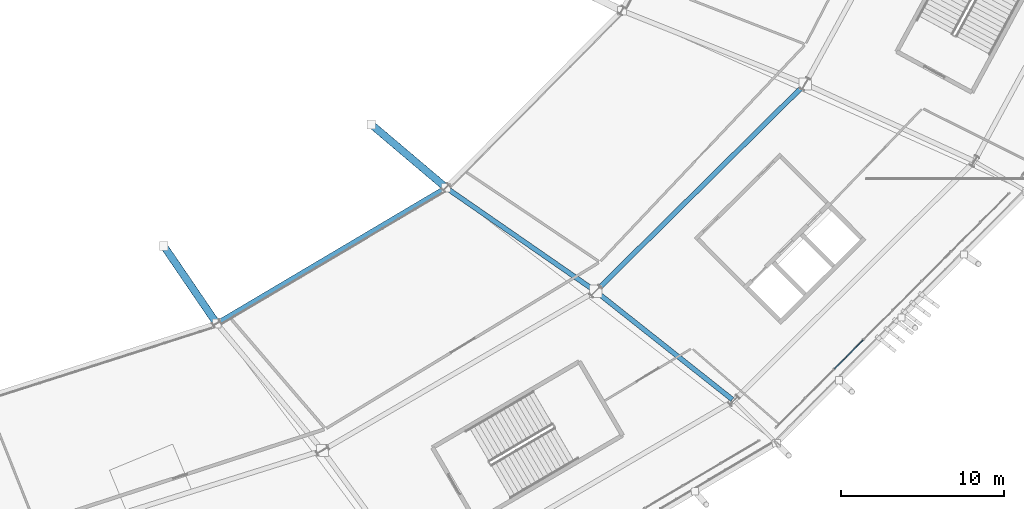
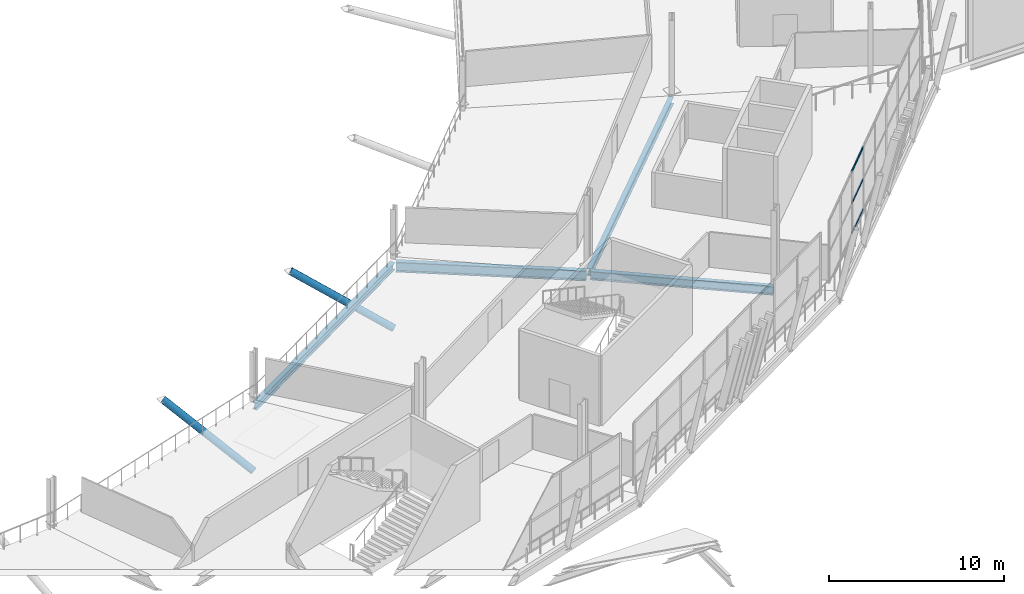
# One storey, part 52 of 168: 5 members, 4 beams, 1 element without a shape of its own.
"""IFC4 building model written with IfcOpenShell, lengths in metres."""

import ifcopenshell
import ifcopenshell.guid

model = None  # the IFC model being written
_history = None  # IfcOwnerHistory: only IFC2X3 demands one
_inside = {}  # id of a spatial element -> (the spatial element, [elements in it])
_under = {}  # id of a project, library or spatial element -> (it, [spatial elements below it])
_declared = {}  # id of a project -> (the project, [libraries it declares])
_typed = {}  # id of a type object -> (the type object, [elements of that type])
_made_of = {}  # id of a material, layer set ... -> (it, [elements and type objects made of it])


def new_model(schema):
    """Start an empty IFC model of exactly this schema.

    Asked for "IFC4X3", IfcOpenShell would pick the latest addendum, in which some entities
    have other attributes; the version numbers below select the first issue.
    IFC2X3 requires an IfcOwnerHistory on every rooted entity: one is made here for all.
    """
    global model, _history
    if schema == "IFC4X3":
        model = ifcopenshell.file(schema_version=(4, 3, 0, 0))
    else:
        model = ifcopenshell.file(schema=schema)
    _inside.clear()
    _under.clear()
    _declared.clear()
    _typed.clear()
    _made_of.clear()
    _history = None
    if model.schema == "IFC2X3":
        org = make("IfcOrganization", Name="unknown")
        user = make(
            "IfcPersonAndOrganization",
            ThePerson=make("IfcPerson", FamilyName="unknown"),
            TheOrganization=org,
        )
        app = make(
            "IfcApplication",
            ApplicationDeveloper=org,
            Version="unknown",
            ApplicationFullName="unknown",
            ApplicationIdentifier="unknown",
        )
        _history = make(
            "IfcOwnerHistory",
            OwningUser=user,
            OwningApplication=app,
            ChangeAction="ADDED",
            CreationDate=0,
        )
    return model


def make(cls, **values):
    """One entity of the class cls with the attributes given. An attribute that is None is left unset."""
    return model.create_entity(
        cls, **{name: value for name, value in values.items() if value is not None}
    )


def rooted(cls, **values):
    """An entity with a GlobalId (a new one), such as an element, a storey or a relation."""
    return make(cls, GlobalId=ifcopenshell.guid.new(), OwnerHistory=_history, **values)


def si_unit(unit_type, name, prefix=None):
    """IfcSIUnit, for example si_unit("LENGTHUNIT", "METRE", prefix="MILLI")."""
    return make("IfcSIUnit", UnitType=unit_type, Prefix=prefix, Name=name)


def assignment(units):
    """IfcUnitAssignment: the units of a project."""
    return None if units is None else make("IfcUnitAssignment", Units=units)


def point(xyz):
    """IfcCartesianPoint."""
    return None if xyz is None else make("IfcCartesianPoint", Coordinates=xyz)


def direction(xyz):
    """IfcDirection."""
    return None if xyz is None else make("IfcDirection", DirectionRatios=xyz)


def frame(location, z_axis=None, x_axis=None):
    """IfcAxis2Placement3D, a coordinate frame: its origin and axes. An axis left out is left unset."""
    return make(
        "IfcAxis2Placement3D",
        Location=point(location),
        Axis=direction(z_axis),
        RefDirection=direction(x_axis),
    )


def frame_2d(location, x_axis=None):
    """IfcAxis2Placement2D, a coordinate frame in the plane: its origin and x axis."""
    return make(
        "IfcAxis2Placement2D", Location=point(location), RefDirection=direction(x_axis)
    )


def origin():
    """The frame at (0, 0, 0) with its axes left unset."""
    return frame((0.0, 0.0, 0.0))


def origin_2d():
    """The frame at (0, 0) in the plane with its x axis left unset."""
    return frame_2d((0.0, 0.0))


def place(relative_to, where):
    """IfcLocalPlacement: puts the frame where relative to a parent placement (None: the world)."""
    return make(
        "IfcLocalPlacement", PlacementRelTo=relative_to, RelativePlacement=where
    )


def context(
    kind, dimensions, precision=None, world=None, true_north=None, identifier=None
):
    """IfcGeometricRepresentationContext, for example the 3D "Model" context."""
    return make(
        "IfcGeometricRepresentationContext",
        ContextIdentifier=identifier,
        ContextType=kind,
        CoordinateSpaceDimension=dimensions,
        Precision=precision,
        WorldCoordinateSystem=world,
        TrueNorth=true_north,
    )


def subcontext(parent, identifier, kind, view, scale=None):
    """IfcGeometricRepresentationSubContext, for example "Body" below "Model"."""
    return make(
        "IfcGeometricRepresentationSubContext",
        ContextIdentifier=identifier,
        ContextType=kind,
        ParentContext=parent,
        TargetScale=scale,
        TargetView=view,
    )


def project(units=None, contexts=None):
    """IfcProject with its units and contexts."""
    return rooted(
        "IfcProject",
        Name="project",
        RepresentationContexts=contexts,
        UnitsInContext=assignment(units),
    )


def spatial(cls, under=None, at=None, **own):
    """A site, building, storey or space (cls), placed at a placement, below another one or the project."""
    s = rooted(cls, ObjectPlacement=at, **own)
    if under is not None:
        _under.setdefault(under.id(), (under, []))[1].append(s)
    return s


def profile(cls, at=None, kind="AREA", **sizes):
    """A parametric profile (cls). Its sizes go by their IFC names, for example OverallWidth=200.0."""
    return make(cls, ProfileType=kind, Position=at, **sizes)


def rectangle(**sizes):
    """IfcRectangleProfileDef."""
    return profile("IfcRectangleProfileDef", **sizes)


def hollow_circle(**sizes):
    """IfcCircleHollowProfileDef."""
    return profile("IfcCircleHollowProfileDef", **sizes)


def i_section(**sizes):
    """IfcIShapeProfileDef."""
    return profile("IfcIShapeProfileDef", **sizes)


def extrude(swept, where, along, depth):
    """IfcExtrudedAreaSolid: the profile swept, set in the frame where, extruded along a direction by depth."""
    return make(
        "IfcExtrudedAreaSolid",
        SweptArea=swept,
        Position=where,
        ExtrudedDirection=direction(along),
        Depth=depth,
    )


def shape(context_of_items, identifier, shape_type, items):
    """IfcShapeRepresentation: the items that make up one representation, for example the "Body"."""
    return make(
        "IfcShapeRepresentation",
        ContextOfItems=context_of_items,
        RepresentationIdentifier=identifier,
        RepresentationType=shape_type,
        Items=items,
    )


def material(Name=None, Category=None):
    """IfcMaterial."""
    return make("IfcMaterial", Name=Name, Category=Category)


def material_profile(
    of_material, cross_section, Name=None, Category=None, Priority=None
):
    """IfcMaterialProfile: a cross section and its material."""
    return make(
        "IfcMaterialProfile",
        Name=Name,
        Material=of_material,
        Profile=cross_section,
        Priority=Priority,
        Category=Category,
    )


def profile_set(profiles, Name=None, composite=None):
    """IfcMaterialProfileSet."""
    return make(
        "IfcMaterialProfileSet",
        Name=Name,
        MaterialProfiles=profiles,
        CompositeProfile=composite,
    )


def made_of(thing, what):
    """Note that an element or type object is made of a material, layer set ...; save() writes the relation."""
    if what is not None:
        _made_of.setdefault(what.id(), (what, []))[1].append(thing)
    return thing


def type_object(cls, material=None, **own):
    """A type object (cls), such as IfcWallType, which elements share."""
    return made_of(rooted(cls, **own), material)


def element(
    cls,
    number,
    at=None,
    inside=None,
    cuts=None,
    type_object=None,
    material=None,
    context=None,
    identifier="Body",
    shape_type=None,
    held_by="IfcProductDefinitionShape",
    body=None,
    shapes=None,
    **own,
):
    """One element of the class cls, such as IfcWall. Its Tag is "e" and its number.

    at: its placement. inside: the storey or other place that contains it. cuts: it is an
    opening in that element (IfcRelVoidsElement). A single representation is given by context,
    identifier, shape_type and body (its items); several are given by shapes. held_by: the class
    of the entity that holds the representations. save() writes the other relations.
    """
    e = rooted(cls, Tag="e%d" % number, ObjectPlacement=at, **own)
    if body is not None:
        shapes = [shape(context, identifier, shape_type, body)]
    if shapes is not None:
        e.Representation = make(held_by, Representations=shapes)
    if inside is not None:
        _inside.setdefault(inside.id(), (inside, []))[1].append(e)
    if cuts is not None:
        rooted(
            "IfcRelVoidsElement", RelatingBuildingElement=cuts, RelatedOpeningElement=e
        )
    if type_object is not None:
        _typed.setdefault(type_object.id(), (type_object, []))[1].append(e)
    return made_of(e, material)


def aggregate(whole, parts):
    """IfcRelAggregates: a whole, such as a stair, and the parts it consists of."""
    return rooted("IfcRelAggregates", RelatingObject=whole, RelatedObjects=parts)


def save(model, path):
    """Write the relations noted so far, then the file.

    IfcRelAggregates (storeys below a building ...), IfcRelContainedInSpatialStructure (elements
    in a storey), IfcRelDefinesByType, IfcRelAssociatesMaterial and IfcRelDeclares: one each for
    every whole, place, type object, material and project.
    """
    for whole, parts in _under.values():
        aggregate(whole, parts)
    for where, things in _inside.values():
        rooted(
            "IfcRelContainedInSpatialStructure",
            RelatedElements=things,
            RelatingStructure=where,
        )
    for kind, things in _typed.values():
        rooted("IfcRelDefinesByType", RelatedObjects=things, RelatingType=kind)
    for what, things in _made_of.values():
        rooted("IfcRelAssociatesMaterial", RelatedObjects=things, RelatingMaterial=what)
    for by, libraries in _declared.values():
        rooted("IfcRelDeclares", RelatingContext=by, RelatedDefinitions=libraries)
    model.write(path)


model = new_model("IFC4")

# Units and contexts
model_context = context("Model", 3, precision=1e-05, world=origin(), true_north=direction((0.0, 1.0)))
body_context = subcontext(model_context, "Body", "Model", "MODEL_VIEW")
ifc_project = project(units=[si_unit("LENGTHUNIT", "METRE"), si_unit("AREAUNIT", "SQUARE_METRE"), si_unit("VOLUMEUNIT", "CUBIC_METRE"), si_unit("PLANEANGLEUNIT", "RADIAN"), si_unit("MASSUNIT", "GRAM", prefix="KILO")], contexts=[model_context])

# Site, building, storey
site_placement = place(None, origin())
site = spatial("IfcSite", under=ifc_project, at=site_placement, CompositionType="ELEMENT")
building_placement = place(site_placement, origin())
building = spatial("IfcBuilding", under=site, at=building_placement, Name="Zlatoyarsky Gate Stadium", CompositionType="ELEMENT")
storey_placement = place(building_placement, frame((0.0, 0.0, 15.60009765625)))
storey = spatial("IfcBuildingStorey", under=building, at=storey_placement, Name="L03", CompositionType="ELEMENT", Elevation=15.60009765625)

# Curtain wall, members
ifc_material_1 = material(Name="Thermally broken anodised aluminium curtain wall", Category="aluminium")
curtain_wall_type = type_object("IfcCurtainWallType", Name="UNITISED CORPORATE BOX GLAZING L03", PredefinedType="USERDEFINED", material=ifc_material_1)
curtain_wall_placement = place(storey_placement, origin())
curtain_wall = element("IfcCurtainWall", 1, at=curtain_wall_placement, inside=storey, type_object=curtain_wall_type, Name="Curtain wall CW-L03-21", ObjectType="UNITISED GLAZING", PredefinedType="USERDEFINED")
ifc_material_2 = material(Name="Anodised aluminium 6063-T6", Category="aluminium")
ifc_material_profile_1 = material_profile(ifc_material_2, rectangle(XDim=0.06494140625, YDim=0.139892578125, at=origin_2d()), Name="ALU 65X140")
ifc_profile_set_1 = profile_set([ifc_material_profile_1], Name="Anodised aluminium 6063-T6")
member_type_1 = type_object("IfcMemberType", Name="ALUMINIUM TRANSOM 65X140", PredefinedType="USERDEFINED", material=ifc_profile_set_1)
member_1_placement = place(storey_placement, frame((182.9501953125, 31.757568359375, 0.032470703125), z_axis=(0.705527101456, 0.708682939763, 0.0), x_axis=(-0.708682939763, 0.705527101456, 0.0)))
member_1 = element("IfcMember", 2, at=member_1_placement, type_object=member_type_1, Name="CW-UG3 transom 3.1", ObjectType="TRANSOM", PredefinedType="USERDEFINED", context=body_context, shape_type="SweptSolid", body=[
    extrude(rectangle(XDim=0.06494140625, YDim=0.139892578125, at=origin_2d()), origin(), (0.0, 0.0, 1.0), 2.4755859375),
])
member_2_placement = place(storey_placement, frame((182.9501953125, 31.757568359375, 2.14990234375), z_axis=(0.705527101456, 0.708682939763, 0.0), x_axis=(-0.708682939763, 0.705527101456, 0.0)))
member_2 = element("IfcMember", 3, at=member_2_placement, type_object=member_type_1, Name="CW-UG3 transom 3.2", ObjectType="TRANSOM", PredefinedType="USERDEFINED", context=body_context, shape_type="SweptSolid", body=[
    extrude(rectangle(XDim=0.06494140625, YDim=0.139892578125, at=origin_2d()), origin(), (0.0, 0.0, 1.0), 2.4755859375),
])
member_3_placement = place(storey_placement, frame((182.9501953125, 31.757568359375, 4.347412109375), z_axis=(0.705527101456, 0.708682939763, 0.0), x_axis=(-0.708682939763, 0.705527101456, 0.0)))
member_3 = element("IfcMember", 4, at=member_3_placement, type_object=member_type_1, Name="CW-UG3 transom 3.3", ObjectType="TRANSOM", PredefinedType="USERDEFINED", context=body_context, shape_type="SweptSolid", body=[
    extrude(rectangle(XDim=0.06494140625, YDim=0.139892578125, at=origin_2d()), origin(), (0.0, 0.0, 1.0), 2.4755859375),
])
aggregate(curtain_wall, [member_1, member_2, member_3])

# Members
ifc_material_3 = material(Name="Steel S355", Category="steel")
ifc_material_profile_2 = material_profile(ifc_material_3, hollow_circle(Radius=0.228515625, WallThickness=0.02490234375, at=origin_2d()), Name="CHS 457X25")
ifc_profile_set_2 = profile_set([ifc_material_profile_2], Name="Steel S355")
member_type_2 = type_object("IfcMemberType", Name="STEEL BACKSPAN TIE STRUT CHS 457X25", PredefinedType="STRUT", material=ifc_profile_set_2)
member_4_placement = place(storey_placement, frame((145.0, 34.53369140625, -5.0), z_axis=(-0.491000881553, 0.719608413394, 0.491000881553), x_axis=(-0.826035604604, -0.563617937903, 0.0)))
element("IfcMember", 5, at=member_4_placement, inside=storey, type_object=member_type_2, Name="Upper tier cantilever strut 20", PredefinedType="STRUT", context=body_context, shape_type="SweptSolid", body=[
    extrude(hollow_circle(Radius=0.228515625, WallThickness=0.02490234375, at=origin_2d()), origin(), (0.0, 0.0, 1.0), 6.619140625),
])
member_5_placement = place(storey_placement, frame((159.083251953125, 42.876953125, -5.0), z_axis=(-0.671760825652, 0.568423985586, 0.475006911244), x_axis=(-0.645949512336, -0.763380133035, 0.0)))
element("IfcMember", 6, at=member_5_placement, inside=storey, type_object=member_type_2, Name="Upper tier cantilever strut 21", PredefinedType="STRUT", context=body_context, shape_type="SweptSolid", body=[
    extrude(hollow_circle(Radius=0.228515625, WallThickness=0.02490234375, at=origin_2d()), origin(), (0.0, 0.0, 1.0), 6.842041015625),
])

# Beams
ifc_material_profile_3 = material_profile(ifc_material_3, i_section(OverallWidth=0.300048828125, OverallDepth=0.5, WebThickness=0.014404296875, FlangeThickness=0.028076171875, FilletRadius=0.027099609375, at=origin_2d()), Name="HEB 500")
ifc_profile_set_3 = profile_set([ifc_material_profile_3], Name="Steel S355")
beam_type_1 = type_object("IfcBeamType", Name="STEEL PRIMARY GIRDER HEB 500", PredefinedType="BEAM", material=ifc_profile_set_3)
beam_1_placement = place(storey_placement, frame((145.103271484375, 34.594970703125, -0.530029296875), z_axis=(0.860360371321, 0.50968620882, 0.0), x_axis=(-0.50968620882, 0.860360371321, 0.0)))
element("IfcBeam", 7, at=beam_1_placement, inside=storey, type_object=beam_type_1, Name="Beam G-HEB500 BM-L03-CRA-20", PredefinedType="BEAM", context=body_context, shape_type="SweptSolid", body=[
    extrude(i_section(OverallWidth=0.300048828125, OverallDepth=0.5, WebThickness=0.014404296875, FlangeThickness=0.028076171875, FilletRadius=0.027099609375, at=origin_2d()), origin(), (0.0, 0.0, 1.0), 16.12890625),
])
beam_2_placement = place(storey_placement, frame((168.36083984375, 36.597412109375, -0.530029296875), z_axis=(0.710840510009, 0.703353232259, 0.0), x_axis=(-0.703353232259, 0.710840510009, 0.0)))
element("IfcBeam", 8, at=beam_2_placement, inside=storey, type_object=beam_type_1, Name="Beam G-HEB500 BM-L03-CRB-21", PredefinedType="BEAM", context=body_context, shape_type="SweptSolid", body=[
    extrude(i_section(OverallWidth=0.300048828125, OverallDepth=0.5, WebThickness=0.014404296875, FlangeThickness=0.028076171875, FilletRadius=0.027099609375, at=origin_2d()), origin(), (0.0, 0.0, 1.0), 17.868896484375),
])
ifc_material_profile_4 = material_profile(ifc_material_3, i_section(OverallWidth=0.300048828125, OverallDepth=0.60009765625, WebThickness=0.015380859375, FlangeThickness=0.030029296875, FilletRadius=0.027099609375, at=origin_2d()), Name="HEB 600")
ifc_profile_set_4 = profile_set([ifc_material_profile_4], Name="Steel S355")
beam_type_2 = type_object("IfcBeamType", Name="STEEL PRIMARY GIRDER HEB 600", PredefinedType="BEAM", material=ifc_profile_set_4)
beam_3_placement = place(storey_placement, frame((168.36962890625, 36.4384765625, -0.580078125), z_axis=(0.78404348542, -0.620705898933, 0.0), x_axis=(0.620705898933, 0.78404348542, 0.0)))
element("IfcBeam", 9, at=beam_3_placement, inside=storey, type_object=beam_type_2, Name="Beam G-HEB600 BM-L03-RBC-21", PredefinedType="BEAM", context=body_context, shape_type="SweptSolid", body=[
    extrude(i_section(OverallWidth=0.300048828125, OverallDepth=0.60009765625, WebThickness=0.015380859375, FlangeThickness=0.030029296875, FilletRadius=0.027099609375, at=origin_2d()), origin(), (0.0, 0.0, 1.0), 10.58251953125),
])
ifc_material_profile_5 = material_profile(ifc_material_3, i_section(OverallWidth=0.300048828125, OverallDepth=0.699951171875, WebThickness=0.01708984375, FlangeThickness=0.031982421875, FilletRadius=0.027099609375, at=origin_2d()), Name="HEB 700")
ifc_profile_set_5 = profile_set([ifc_material_profile_5], Name="Steel S355")
beam_type_3 = type_object("IfcBeamType", Name="STEEL PRIMARY GIRDER HEB 700", PredefinedType="BEAM", material=ifc_profile_set_5)
beam_4_placement = place(storey_placement, frame((159.181884765625, 42.80859375, -0.630126953125), z_axis=(0.822196208432, -0.569204176758, 0.0), x_axis=(0.569204176758, 0.822196208432, 0.0)))
element("IfcBeam", 10, at=beam_4_placement, inside=storey, type_object=beam_type_3, Name="Beam G-HEB700 BM-L03-RAB-21", PredefinedType="BEAM", context=body_context, shape_type="SweptSolid", body=[
    extrude(i_section(OverallWidth=0.300048828125, OverallDepth=0.699951171875, WebThickness=0.01708984375, FlangeThickness=0.031982421875, FilletRadius=0.027099609375, at=origin_2d()), origin(), (0.0, 0.0, 1.0), 10.9404296875),
])

save(model, "model.ifc")
